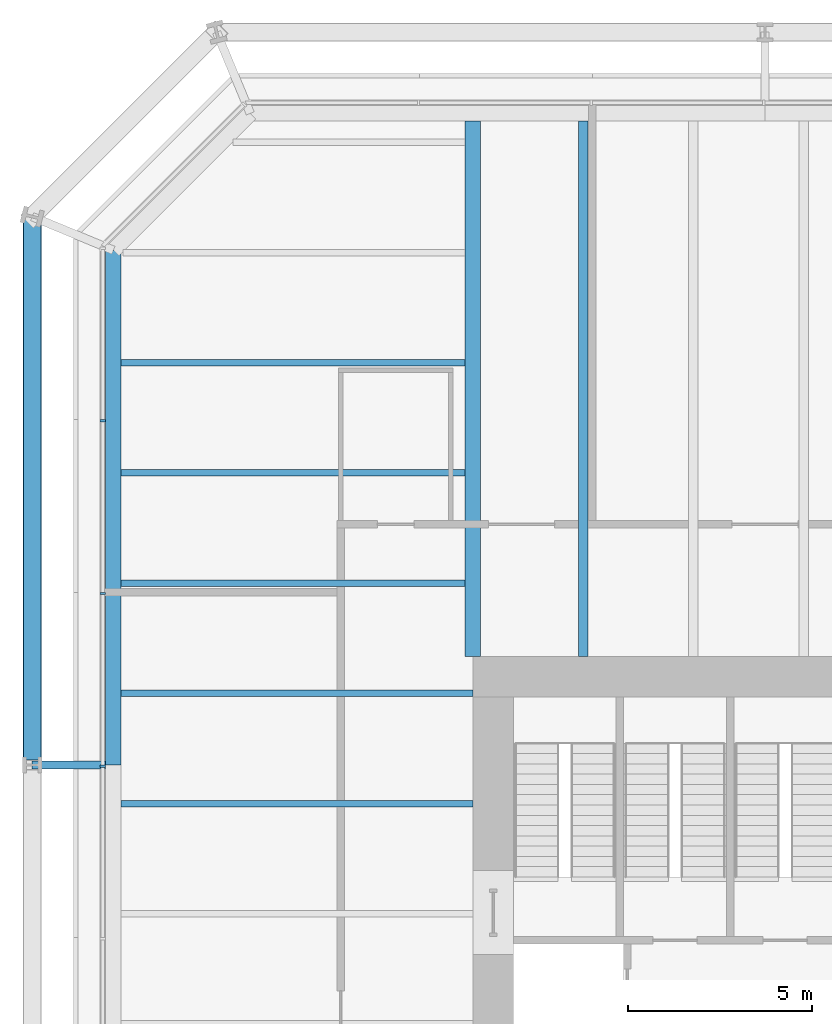
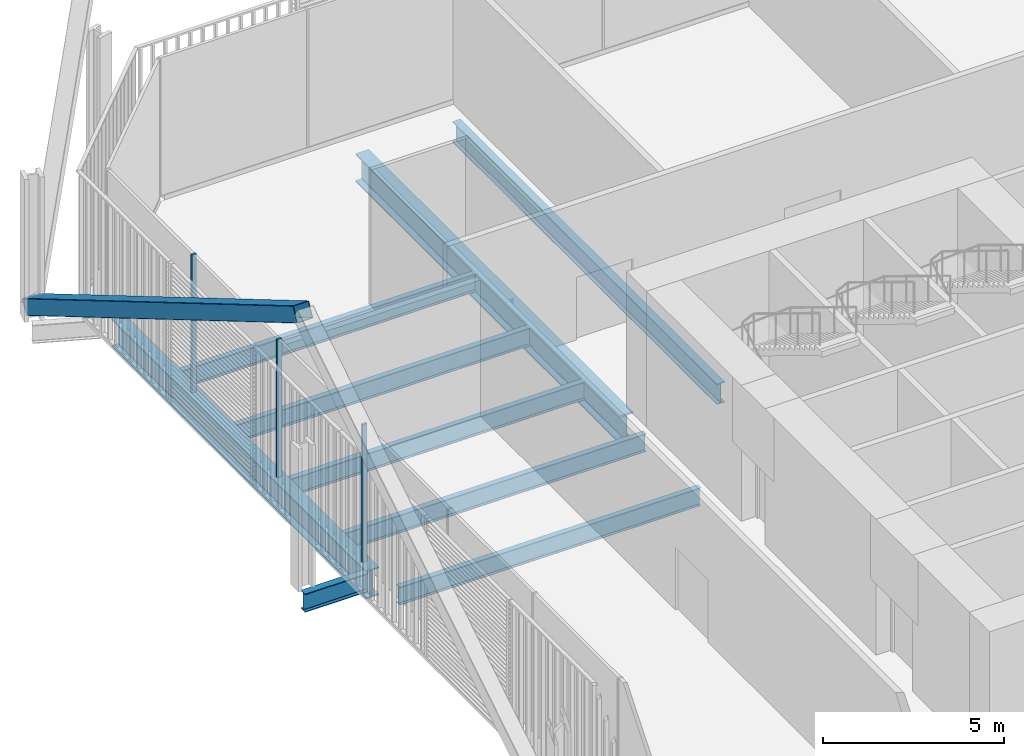
# One storey, part 12 of 22: 9 beams, 4 members, 1 element without a shape of its own.
"""IFC4 building model written with IfcOpenShell, lengths in metres."""

from ifc_helpers import new_model, si_unit, direction, frame, origin, origin_2d, place, context, subcontext, project, spatial, rectangle, hollow_rectangle, i_section, extrude, material, layer, layer_set, material_profile, profile_set, type_object, element, aggregate, save


model = new_model("IFC4")

# Units and contexts
model_context = context("Model", 3, precision=1e-05, world=origin(), true_north=direction((0.0, 1.0)))
body_context = subcontext(model_context, "Body", "Model", "MODEL_VIEW")
ifc_project = project(units=[si_unit("LENGTHUNIT", "METRE"), si_unit("AREAUNIT", "SQUARE_METRE"), si_unit("VOLUMEUNIT", "CUBIC_METRE"), si_unit("PLANEANGLEUNIT", "RADIAN"), si_unit("MASSUNIT", "GRAM", prefix="KILO")], contexts=[model_context])

# Site, building, storey
site_placement = place(None, origin())
site = spatial("IfcSite", under=ifc_project, at=site_placement, CompositionType="ELEMENT")
building_placement = place(site_placement, origin())
building = spatial("IfcBuilding", under=site, at=building_placement, Name="Millrace Tower", CompositionType="ELEMENT")
storey_placement = place(building_placement, frame((0.0, 0.0, 44.89990234375)))
storey = spatial("IfcBuildingStorey", under=building, at=storey_placement, Name="L10", CompositionType="ELEMENT", Elevation=44.89990234375)

# Curtain wall, members
ifc_material_1 = material(Name="Aluminium and glass", Category="aluminium")
ifc_layer = layer(ifc_material_1, 0.14990234375)
ifc_layer_set = layer_set([ifc_layer], Name="Aluminium and glass")
curtain_wall_type = type_object("IfcCurtainWallType", Name="CW-2 data hall insulated curtain wall", PredefinedType="NOTDEFINED", material=ifc_layer_set)
curtain_wall_placement = place(storey_placement, origin())
curtain_wall = element("IfcCurtainWall", 1, at=curtain_wall_placement, inside=storey, type_object=curtain_wall_type, Name="Curtain wall A-F08 L10", PredefinedType="NOTDEFINED")
ifc_material_2 = material(Name="Aluminium", Category="aluminium")
ifc_material_profile_1 = material_profile(ifc_material_2, rectangle(XDim=0.06494140625, YDim=0.14990234375, at=origin_2d()))
ifc_profile_set_1 = profile_set([ifc_material_profile_1], Name="Aluminium")
member_type_1 = type_object("IfcMemberType", Name="CW-2 data hall insulated curtain wall mullion", PredefinedType="MULLION", material=ifc_profile_set_1)
member_1_placement = place(storey_placement, frame((-25.074951171875, 16.41748046875, 0.16015625), z_axis=(0.0, 0.0, 1.0), x_axis=(0.0, -1.0, 0.0)))
member_1 = element("IfcMember", 2, at=member_1_placement, type_object=member_type_1, Name="CW2 mullion A-F08.2", PredefinedType="MULLION", context=body_context, shape_type="SweptSolid", body=[
    extrude(rectangle(XDim=0.06494140625, YDim=0.14990234375, at=origin_2d()), origin(), (0.0, 0.0, 1.0), 4.639892578125),
])
member_2_placement = place(storey_placement, frame((-25.074951171875, 11.717529296875, 0.16015625), z_axis=(0.0, 0.0, 1.0), x_axis=(0.0, -1.0, 0.0)))
member_2 = element("IfcMember", 3, at=member_2_placement, type_object=member_type_1, Name="CW2 mullion A-F08.3", PredefinedType="MULLION", context=body_context, shape_type="SweptSolid", body=[
    extrude(rectangle(XDim=0.06494140625, YDim=0.14990234375, at=origin_2d()), origin(), (0.0, 0.0, 1.0), 4.639892578125),
])
member_3_placement = place(storey_placement, frame((-25.074951171875, 7.017578125, 0.16015625), z_axis=(0.0, 0.0, 1.0), x_axis=(0.0, -1.0, 0.0)))
member_3 = element("IfcMember", 4, at=member_3_placement, type_object=member_type_1, Name="CW2 mullion A-F08.4", PredefinedType="MULLION", context=body_context, shape_type="SweptSolid", body=[
    extrude(rectangle(XDim=0.06494140625, YDim=0.14990234375, at=origin_2d()), origin(), (0.0, 0.0, 1.0), 4.639892578125),
])
aggregate(curtain_wall, [member_1, member_2, member_3])

# Member
ifc_material_3 = material(Name="Steel ASTM A500 Grade C", Category="steel")
ifc_material_profile_2 = material_profile(ifc_material_3, hollow_rectangle(XDim=0.508056640625, YDim=0.508056640625, WallThickness=0.01904296875, InnerFilletRadius=0.009521484375, OuterFilletRadius=0.028564453125, at=origin_2d()))
ifc_profile_set_2 = profile_set([ifc_material_profile_2], Name="Steel ASTM A500 Grade C")
member_type_2 = type_object("IfcMemberType", Name="Exoskeleton brace HSS20x20x3/4", PredefinedType="BRACE", material=ifc_profile_set_2)
member_4_placement = place(storey_placement, frame((-27.0, 21.978515625, 0.400146484375), z_axis=(0.0, -0.861464835883, 0.507817227491), x_axis=(1.0, 0.0, 0.0)))
element("IfcMember", 5, at=member_4_placement, inside=storey, type_object=member_type_2, Name="BRC-A-L10-14", PredefinedType="BRACE", context=body_context, shape_type="SweptSolid", body=[
    extrude(hollow_rectangle(XDim=0.508056640625, YDim=0.508056640625, WallThickness=0.01904296875, InnerFilletRadius=0.009521484375, OuterFilletRadius=0.028564453125, at=origin_2d()), origin(), (0.0, 0.0, 1.0), 17.3291015625),
])

# Beams
ifc_material_4 = material(Name="Steel ASTM A992 Grade 50", Category="steel")
ifc_material_profile_3 = material_profile(ifc_material_4, i_section(OverallWidth=0.1787109375, OverallDepth=0.60205078125, WebThickness=0.010986328125, FlangeThickness=0.014892578125, FilletRadius=0.0126953125, at=origin_2d()))
ifc_profile_set_3 = profile_set([ifc_material_profile_3], Name="Steel ASTM A992 Grade 50")
beam_type_1 = type_object("IfcBeamType", Name="Floor beam W24x62", PredefinedType="JOIST", material=ifc_profile_set_3)
for number, where, z_axis, x_axis, name in (
    (6, (-24.578369140625, 6.0, -0.52587890625), (1.0, 0.0, 0.0), (0.0, 1.0, 0.0), "BM-A-L10-S1-S027"),
    (7, (-24.578369140625, 9.0, -0.52587890625), (1.0, 0.0, 0.0), (0.0, 1.0, 0.0), "BM-A-L10-S1-S030"),
):
    element("IfcBeam", number, at=place(storey_placement, frame(where, z_axis=z_axis, x_axis=x_axis)), inside=storey, type_object=beam_type_1, Name=name, PredefinedType="JOIST", context=body_context, shape_type="SweptSolid", body=[
        extrude(i_section(OverallWidth=0.1787109375, OverallDepth=0.60205078125, WebThickness=0.010986328125, FlangeThickness=0.014892578125, FilletRadius=0.0126953125, at=origin_2d()), origin(), (0.0, 0.0, 1.0), 9.578369140625),
    ])
for number, where, z_axis, x_axis, name in (
    (8, (-24.578369140625, 12.0, -0.52587890625), (1.0, 0.0, 0.0), (0.0, 1.0, 0.0), "BM-A-L10-S1-S032"),
    (9, (-24.578369140625, 15.0, -0.52587890625), (1.0, 0.0, 0.0), (0.0, 1.0, 0.0), "BM-A-L10-S1-S034"),
    (10, (-24.578369140625, 18.0, -0.52587890625), (1.0, 0.0, 0.0), (0.0, 1.0, 0.0), "BM-A-L10-S1-S036"),
):
    element("IfcBeam", number, at=place(storey_placement, frame(where, z_axis=z_axis, x_axis=x_axis)), inside=storey, type_object=beam_type_1, Name=name, PredefinedType="JOIST", context=body_context, shape_type="SweptSolid", body=[
        extrude(i_section(OverallWidth=0.1787109375, OverallDepth=0.60205078125, WebThickness=0.010986328125, FlangeThickness=0.014892578125, FilletRadius=0.0126953125, at=origin_2d()), origin(), (0.0, 0.0, 1.0), 9.3662109375),
    ])
ifc_material_5 = material(Name="Steel ASTM A992 Grade 50", Category="steel")
ifc_material_profile_4 = material_profile(ifc_material_5, i_section(OverallWidth=0.256591796875, OverallDepth=0.693359375, WebThickness=0.014404296875, FlangeThickness=0.023681640625, FilletRadius=0.01513671875, at=origin_2d()))
ifc_profile_set_4 = profile_set([ifc_material_profile_4], Name="Steel ASTM A992 Grade 50")
beam_type_2 = type_object("IfcBeamType", Name="Floor beam W27x114", PredefinedType="JOIST", material=ifc_profile_set_4)
beam_1_placement = place(storey_placement, frame((-12.0, 10.0, -0.571533203125), z_axis=(0.0, 1.0, 0.0), x_axis=(-1.0, 0.0, 0.0)))
element("IfcBeam", 11, at=beam_1_placement, inside=storey, type_object=beam_type_2, Name="BM-A-L10-S1-S042", PredefinedType="JOIST", context=body_context, shape_type="SweptSolid", body=[
    extrude(i_section(OverallWidth=0.256591796875, OverallDepth=0.693359375, WebThickness=0.014404296875, FlangeThickness=0.023681640625, FilletRadius=0.01513671875, at=origin_2d()), origin(), (0.0, 0.0, 1.0), 14.578369140625),
])
ifc_material_6 = material(Name="Steel ASTM A992 Grade 50", Category="steel")
ifc_material_profile_5 = material_profile(ifc_material_6, i_section(OverallWidth=0.424072265625, OverallDepth=0.947509765625, WebThickness=0.02392578125, FlangeThickness=0.042724609375, FilletRadius=0.024169921875, at=origin_2d()))
ifc_profile_set_5 = profile_set([ifc_material_profile_5], Name="Steel ASTM A992 Grade 50")
beam_type_3 = type_object("IfcBeamType", Name="Girder medium span W36x302", PredefinedType="BEAM", material=ifc_profile_set_5)
beam_2_placement = place(storey_placement, frame((-15.0, 10.0, -0.69873046875), z_axis=(0.0, 1.0, 0.0), x_axis=(-1.0, 0.0, 0.0)))
element("IfcBeam", 12, at=beam_2_placement, inside=storey, type_object=beam_type_3, Name="BM-A-L10-S1-G060", PredefinedType="BEAM", context=body_context, shape_type="SweptSolid", body=[
    extrude(i_section(OverallWidth=0.424072265625, OverallDepth=0.947509765625, WebThickness=0.02392578125, FlangeThickness=0.042724609375, FilletRadius=0.024169921875, at=origin_2d()), origin(), (0.0, 0.0, 1.0), 14.578369140625),
])
ifc_material_7 = material(Name="Steel ASTM A992 Grade 50", Category="steel")
ifc_material_profile_6 = material_profile(ifc_material_7, i_section(OverallWidth=0.23046875, OverallDepth=0.6171875, WebThickness=0.01318359375, FlangeThickness=0.022216796875, FilletRadius=0.012939453125, at=origin_2d()))
ifc_profile_set_6 = profile_set([ifc_material_profile_6], Name="Steel ASTM A992 Grade 50")
beam_type_4 = type_object("IfcBeamType", Name="Link beam W24x94", PredefinedType="BEAM", material=ifc_profile_set_6)
beam_3_placement = place(storey_placement, frame((-25.0, 7.050048828125, -0.533447265625), z_axis=(-1.0, 0.0, 0.0), x_axis=(0.0, -1.0, 0.0)))
element("IfcBeam", 13, at=beam_3_placement, inside=storey, type_object=beam_type_4, Name="LNK-A-L10-S1-03", PredefinedType="BEAM", context=body_context, shape_type="SweptSolid", body=[
    extrude(i_section(OverallWidth=0.23046875, OverallDepth=0.6171875, WebThickness=0.01318359375, FlangeThickness=0.022216796875, FilletRadius=0.012939453125, at=origin_2d()), origin(), (0.0, 0.0, 1.0), 2.0),
])
ifc_material_8 = material(Name="Steel ASTM A992 Grade 50", Category="steel")
ifc_material_profile_7 = material_profile(ifc_material_8, i_section(OverallWidth=0.421630859375, OverallDepth=0.937255859375, WebThickness=0.021240234375, FlangeThickness=0.03662109375, FilletRadius=0.024169921875, at=origin_2d()))
ifc_profile_set_7 = profile_set([ifc_material_profile_7], Name="Steel ASTM A992 Grade 50")
beam_type_5 = type_object("IfcBeamType", Name="Ring beam medium span W36x262", PredefinedType="SPANDREL", material=ifc_profile_set_7)
beam_4_placement = place(storey_placement, frame((-24.7890625, 7.050048828125, -0.693603515625), z_axis=(0.0, 1.0, 0.0), x_axis=(-1.0, 0.0, 0.0)))
element("IfcBeam", 14, at=beam_4_placement, inside=storey, type_object=beam_type_5, Name="RNG-A-L10-S1-03", PredefinedType="SPANDREL", context=body_context, shape_type="SweptSolid", body=[
    extrude(i_section(OverallWidth=0.421630859375, OverallDepth=0.937255859375, WebThickness=0.021240234375, FlangeThickness=0.03662109375, FilletRadius=0.024169921875, at=origin_2d()), origin(), (0.0, 0.0, 1.0), 14.0126953125),
])

save(model, "model.ifc")
